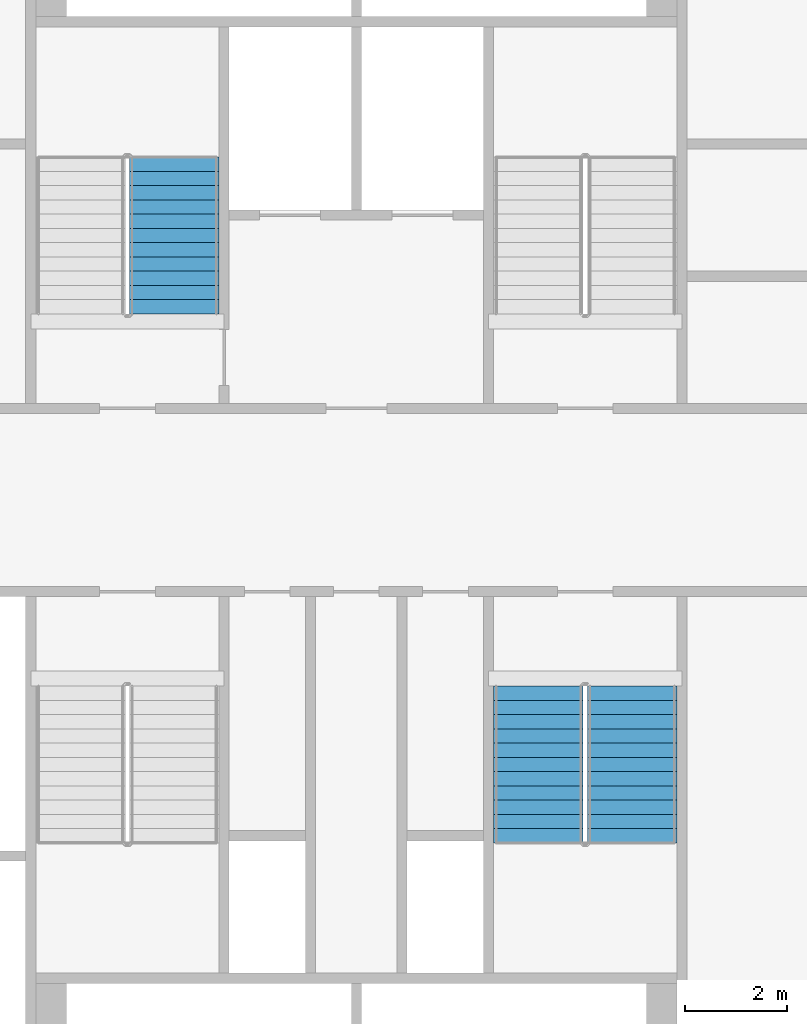
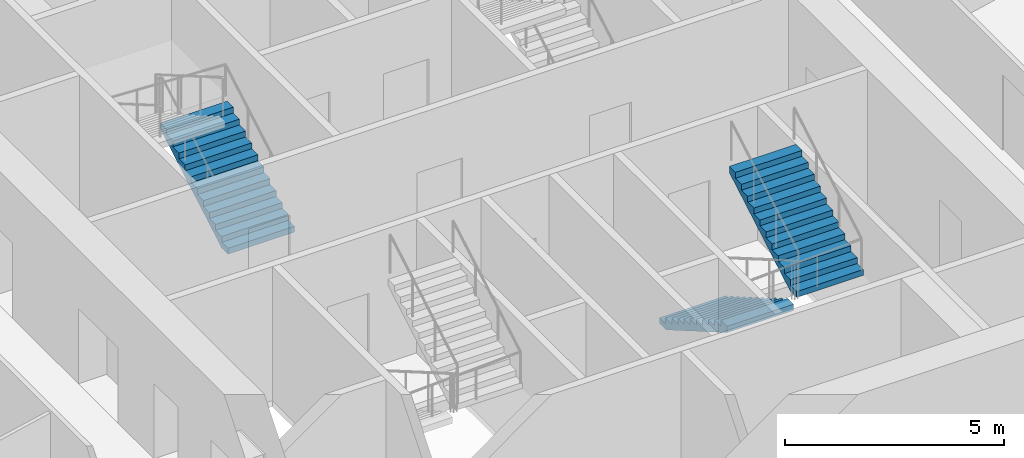
# One storey, part 9 of 16: 3 stair flights, 2 elements without a shape of their own.
"""IFC4 building model written with IfcOpenShell, lengths in metres."""

import ifcopenshell
import ifcopenshell.guid

model = None  # the IFC model being written
_history = None  # IfcOwnerHistory: only IFC2X3 demands one
_inside = {}  # id of a spatial element -> (the spatial element, [elements in it])
_under = {}  # id of a project, library or spatial element -> (it, [spatial elements below it])
_declared = {}  # id of a project -> (the project, [libraries it declares])
_typed = {}  # id of a type object -> (the type object, [elements of that type])
_made_of = {}  # id of a material, layer set ... -> (it, [elements and type objects made of it])


def new_model(schema):
    """Start an empty IFC model of exactly this schema.

    Asked for "IFC4X3", IfcOpenShell would pick the latest addendum, in which some entities
    have other attributes; the version numbers below select the first issue.
    IFC2X3 requires an IfcOwnerHistory on every rooted entity: one is made here for all.
    """
    global model, _history
    if schema == "IFC4X3":
        model = ifcopenshell.file(schema_version=(4, 3, 0, 0))
    else:
        model = ifcopenshell.file(schema=schema)
    _inside.clear()
    _under.clear()
    _declared.clear()
    _typed.clear()
    _made_of.clear()
    _history = None
    if model.schema == "IFC2X3":
        org = make("IfcOrganization", Name="unknown")
        user = make(
            "IfcPersonAndOrganization",
            ThePerson=make("IfcPerson", FamilyName="unknown"),
            TheOrganization=org,
        )
        app = make(
            "IfcApplication",
            ApplicationDeveloper=org,
            Version="unknown",
            ApplicationFullName="unknown",
            ApplicationIdentifier="unknown",
        )
        _history = make(
            "IfcOwnerHistory",
            OwningUser=user,
            OwningApplication=app,
            ChangeAction="ADDED",
            CreationDate=0,
        )
    return model


def make(cls, **values):
    """One entity of the class cls with the attributes given. An attribute that is None is left unset."""
    return model.create_entity(
        cls, **{name: value for name, value in values.items() if value is not None}
    )


def rooted(cls, **values):
    """An entity with a GlobalId (a new one), such as an element, a storey or a relation."""
    return make(cls, GlobalId=ifcopenshell.guid.new(), OwnerHistory=_history, **values)


def si_unit(unit_type, name, prefix=None):
    """IfcSIUnit, for example si_unit("LENGTHUNIT", "METRE", prefix="MILLI")."""
    return make("IfcSIUnit", UnitType=unit_type, Prefix=prefix, Name=name)


def assignment(units):
    """IfcUnitAssignment: the units of a project."""
    return None if units is None else make("IfcUnitAssignment", Units=units)


def point(xyz):
    """IfcCartesianPoint."""
    return None if xyz is None else make("IfcCartesianPoint", Coordinates=xyz)


def direction(xyz):
    """IfcDirection."""
    return None if xyz is None else make("IfcDirection", DirectionRatios=xyz)


def frame(location, z_axis=None, x_axis=None):
    """IfcAxis2Placement3D, a coordinate frame: its origin and axes. An axis left out is left unset."""
    return make(
        "IfcAxis2Placement3D",
        Location=point(location),
        Axis=direction(z_axis),
        RefDirection=direction(x_axis),
    )


def origin():
    """The frame at (0, 0, 0) with its axes left unset."""
    return frame((0.0, 0.0, 0.0))


def place(relative_to, where):
    """IfcLocalPlacement: puts the frame where relative to a parent placement (None: the world)."""
    return make(
        "IfcLocalPlacement", PlacementRelTo=relative_to, RelativePlacement=where
    )


def context(
    kind, dimensions, precision=None, world=None, true_north=None, identifier=None
):
    """IfcGeometricRepresentationContext, for example the 3D "Model" context."""
    return make(
        "IfcGeometricRepresentationContext",
        ContextIdentifier=identifier,
        ContextType=kind,
        CoordinateSpaceDimension=dimensions,
        Precision=precision,
        WorldCoordinateSystem=world,
        TrueNorth=true_north,
    )


def subcontext(parent, identifier, kind, view, scale=None):
    """IfcGeometricRepresentationSubContext, for example "Body" below "Model"."""
    return make(
        "IfcGeometricRepresentationSubContext",
        ContextIdentifier=identifier,
        ContextType=kind,
        ParentContext=parent,
        TargetScale=scale,
        TargetView=view,
    )


def project(units=None, contexts=None):
    """IfcProject with its units and contexts."""
    return rooted(
        "IfcProject",
        Name="project",
        RepresentationContexts=contexts,
        UnitsInContext=assignment(units),
    )


def spatial(cls, under=None, at=None, **own):
    """A site, building, storey or space (cls), placed at a placement, below another one or the project."""
    s = rooted(cls, ObjectPlacement=at, **own)
    if under is not None:
        _under.setdefault(under.id(), (under, []))[1].append(s)
    return s


def faces_of(points, faces, orient=None, outer=None):
    """IfcFace entities. A face is a list of loops; a loop is a list of indices into points, from 0.

    orient and outer hold one flag for each loop. By default every Orientation is true, the
    first loop of a face is its IfcFaceOuterBound and the others are IfcFaceBound.
    """
    made = []
    for i, loops in enumerate(faces):
        bounds = []
        for j, loop in enumerate(loops):
            is_outer = j == 0 if outer is None else outer[i][j]
            bounds.append(
                make(
                    "IfcFaceOuterBound" if is_outer else "IfcFaceBound",
                    Bound=make("IfcPolyLoop", Polygon=[points[k] for k in loop]),
                    Orientation=True if orient is None else orient[i][j],
                )
            )
        made.append(make("IfcFace", Bounds=bounds))
    return made


def faceted_brep(points, faces, orient=None, outer=None, voids=None):
    """IfcFacetedBrep: a solid bounded by flat faces; with voids (closed shells), ...WithVoids."""
    shared = [point(p) for p in points]
    hull = make("IfcClosedShell", CfsFaces=faces_of(shared, faces, orient, outer))
    if voids is None:
        return make("IfcFacetedBrep", Outer=hull)
    return make(
        "IfcFacetedBrepWithVoids",
        Outer=hull,
        Voids=[
            make(cls, CfsFaces=faces_of(shared, fs, o, b)) for cls, fs, o, b in voids
        ],
    )


def shape(context_of_items, identifier, shape_type, items):
    """IfcShapeRepresentation: the items that make up one representation, for example the "Body"."""
    return make(
        "IfcShapeRepresentation",
        ContextOfItems=context_of_items,
        RepresentationIdentifier=identifier,
        RepresentationType=shape_type,
        Items=items,
    )


def material(Name=None, Category=None):
    """IfcMaterial."""
    return make("IfcMaterial", Name=Name, Category=Category)


def made_of(thing, what):
    """Note that an element or type object is made of a material, layer set ...; save() writes the relation."""
    if what is not None:
        _made_of.setdefault(what.id(), (what, []))[1].append(thing)
    return thing


def type_object(cls, material=None, **own):
    """A type object (cls), such as IfcWallType, which elements share."""
    return made_of(rooted(cls, **own), material)


def element(
    cls,
    number,
    at=None,
    inside=None,
    cuts=None,
    type_object=None,
    material=None,
    context=None,
    identifier="Body",
    shape_type=None,
    held_by="IfcProductDefinitionShape",
    body=None,
    shapes=None,
    **own,
):
    """One element of the class cls, such as IfcWall. Its Tag is "e" and its number.

    at: its placement. inside: the storey or other place that contains it. cuts: it is an
    opening in that element (IfcRelVoidsElement). A single representation is given by context,
    identifier, shape_type and body (its items); several are given by shapes. held_by: the class
    of the entity that holds the representations. save() writes the other relations.
    """
    e = rooted(cls, Tag="e%d" % number, ObjectPlacement=at, **own)
    if body is not None:
        shapes = [shape(context, identifier, shape_type, body)]
    if shapes is not None:
        e.Representation = make(held_by, Representations=shapes)
    if inside is not None:
        _inside.setdefault(inside.id(), (inside, []))[1].append(e)
    if cuts is not None:
        rooted(
            "IfcRelVoidsElement", RelatingBuildingElement=cuts, RelatedOpeningElement=e
        )
    if type_object is not None:
        _typed.setdefault(type_object.id(), (type_object, []))[1].append(e)
    return made_of(e, material)


def aggregate(whole, parts):
    """IfcRelAggregates: a whole, such as a stair, and the parts it consists of."""
    return rooted("IfcRelAggregates", RelatingObject=whole, RelatedObjects=parts)


def save(model, path):
    """Write the relations noted so far, then the file.

    IfcRelAggregates (storeys below a building ...), IfcRelContainedInSpatialStructure (elements
    in a storey), IfcRelDefinesByType, IfcRelAssociatesMaterial and IfcRelDeclares: one each for
    every whole, place, type object, material and project.
    """
    for whole, parts in _under.values():
        aggregate(whole, parts)
    for where, things in _inside.values():
        rooted(
            "IfcRelContainedInSpatialStructure",
            RelatedElements=things,
            RelatingStructure=where,
        )
    for kind, things in _typed.values():
        rooted("IfcRelDefinesByType", RelatedObjects=things, RelatingType=kind)
    for what, things in _made_of.values():
        rooted("IfcRelAssociatesMaterial", RelatedObjects=things, RelatingMaterial=what)
    for by, libraries in _declared.values():
        rooted("IfcRelDeclares", RelatingContext=by, RelatedDefinitions=libraries)
    model.write(path)


model = new_model("IFC4")

# Units and contexts
model_context = context("Model", 3, precision=1e-05, world=origin(), true_north=direction((0.0, 1.0)))
body_context = subcontext(model_context, "Body", "Model", "MODEL_VIEW")
ifc_project = project(units=[si_unit("LENGTHUNIT", "METRE"), si_unit("AREAUNIT", "SQUARE_METRE"), si_unit("VOLUMEUNIT", "CUBIC_METRE"), si_unit("PLANEANGLEUNIT", "RADIAN"), si_unit("MASSUNIT", "GRAM", prefix="KILO")], contexts=[model_context])

# Site, building, storey
site_placement = place(None, origin())
site = spatial("IfcSite", under=ifc_project, at=site_placement, CompositionType="ELEMENT")
building_placement = place(site_placement, origin())
building = spatial("IfcBuilding", under=site, at=building_placement, Name="Tarsis Ring Headquarters", CompositionType="ELEMENT")
storey_placement = place(building_placement, frame((0.0, 0.0, 112.300048828125)))
storey = spatial("IfcBuildingStorey", under=building, at=storey_placement, Name="L25", CompositionType="ELEMENT", Elevation=112.300048828125)

# Stair, stair flight
ifc_material_1 = material(Name="Core stair 1760")
stair_type = type_object("IfcStairType", Name="Core stair 1760", PredefinedType="HALF_TURN_STAIR", material=ifc_material_1)
stair_1_placement = place(storey_placement, origin())
stair_1 = element("IfcStair", 1, at=stair_1_placement, inside=storey, type_object=stair_type, Name="L25 Firefighting stair", PredefinedType="HALF_TURN_STAIR")
ifc_material_2 = material(Name="Concrete C40/50", Category="concrete")
stair_flight_type = type_object("IfcStairFlightType", Name="Core stair flight 1760", PredefinedType="STRAIGHT", material=ifc_material_2)
stair_flight_1_placement = place(storey_placement, frame((-3.580078125, 3.659912109375, 0.0), z_axis=(0.0, 0.0, 1.0), x_axis=(0.0, 1.0, 0.0)))
stair_flight_1 = element("IfcStairFlight", 2, at=stair_flight_1_placement, type_object=stair_flight_type, Name="Stair ST1 flight 1", NumberOfRisers=12, NumberOfTreads=11, PredefinedType="STRAIGHT", RiserHeight=0.1625, TreadLength=0.28, context=body_context, shape_type="Brep", body=[
    faceted_brep([(0.0, 0.8798828125, 0.0), (0.0, 0.8798828125, 0.16259765625), (0.280029296875, 0.8798828125, 0.16259765625), (0.280029296875, 0.8798828125, 0.324951171875), (0.56005859375, 0.8798828125, 0.324951171875), (0.56005859375, 0.8798828125, 0.487548828125), (0.840087890625, 0.8798828125, 0.487548828125), (0.840087890625, 0.8798828125, 0.64990234375), (1.1201171875, 0.8798828125, 0.64990234375), (1.1201171875, 0.8798828125, 0.8125), (1.39990234375, 0.8798828125, 0.8125), (1.39990234375, 0.8798828125, 0.97509765625), (1.679931640625, 0.8798828125, 0.97509765625), (1.679931640625, 0.8798828125, 1.137451171875), (1.9599609375, 0.8798828125, 1.137451171875), (1.9599609375, 0.8798828125, 1.300048828125), (2.239990234375, 0.8798828125, 1.300048828125), (2.239990234375, 0.8798828125, 1.46240234375), (2.52001953125, 0.8798828125, 1.46240234375), (2.52001953125, 0.8798828125, 1.625), (2.800048828125, 0.8798828125, 1.625), (2.800048828125, 0.8798828125, 1.78759765625), (3.080078125, 0.8798828125, 1.78759765625), (3.080078125, 0.8798828125, 1.6142578125), (0.298583984375, 0.8798828125, 0.0), (0.298583984375, -0.8798828125, 0.0), (3.080078125, -0.8798828125, 1.6142578125), (3.080078125, -0.8798828125, 1.78759765625), (2.800048828125, -0.8798828125, 1.78759765625), (2.800048828125, -0.8798828125, 1.625), (2.52001953125, -0.8798828125, 1.625), (2.52001953125, -0.8798828125, 1.46240234375), (2.239990234375, -0.8798828125, 1.46240234375), (2.239990234375, -0.8798828125, 1.300048828125), (1.9599609375, -0.8798828125, 1.300048828125), (1.9599609375, -0.8798828125, 1.137451171875), (1.679931640625, -0.8798828125, 1.137451171875), (1.679931640625, -0.8798828125, 0.97509765625), (1.39990234375, -0.8798828125, 0.97509765625), (1.39990234375, -0.8798828125, 0.8125), (1.1201171875, -0.8798828125, 0.8125), (1.1201171875, -0.8798828125, 0.64990234375), (0.840087890625, -0.8798828125, 0.64990234375), (0.840087890625, -0.8798828125, 0.487548828125), (0.56005859375, -0.8798828125, 0.487548828125), (0.56005859375, -0.8798828125, 0.324951171875), (0.280029296875, -0.8798828125, 0.324951171875), (0.280029296875, -0.8798828125, 0.16259765625), (0.0, -0.8798828125, 0.16259765625), (0.0, -0.8798828125, 0.0), (0.0, -0.43994140625, 0.16259765625), (0.0, -0.43994140625, 0.0), (0.0, 0.0, 0.16259765625), (0.0, 0.0, 0.0), (0.0, 0.43994140625, 0.16259765625), (0.0, 0.43994140625, 0.0), (0.280029296875, -0.43994140625, 0.16259765625), (0.280029296875, 0.0, 0.16259765625), (0.280029296875, 0.43994140625, 0.16259765625), (0.280029296875, -0.43994140625, 0.324951171875), (0.280029296875, 0.0, 0.324951171875), (0.280029296875, 0.43994140625, 0.324951171875), (0.56005859375, -0.43994140625, 0.324951171875), (0.56005859375, 0.0, 0.324951171875), (0.56005859375, 0.43994140625, 0.324951171875), (0.56005859375, -0.43994140625, 0.487548828125), (0.56005859375, 0.0, 0.487548828125), (0.56005859375, 0.43994140625, 0.487548828125), (0.840087890625, -0.43994140625, 0.487548828125), (0.840087890625, 0.0, 0.487548828125), (0.840087890625, 0.43994140625, 0.487548828125), (0.840087890625, -0.43994140625, 0.64990234375), (0.840087890625, 0.0, 0.64990234375), (0.840087890625, 0.43994140625, 0.64990234375), (1.1201171875, -0.43994140625, 0.64990234375), (1.1201171875, 0.0, 0.64990234375), (1.1201171875, 0.43994140625, 0.64990234375), (1.1201171875, -0.43994140625, 0.8125), (1.1201171875, 0.0, 0.8125), (1.1201171875, 0.43994140625, 0.8125), (1.39990234375, -0.43994140625, 0.8125), (1.39990234375, 0.0, 0.8125), (1.39990234375, 0.43994140625, 0.8125), (1.39990234375, -0.43994140625, 0.97509765625), (1.39990234375, 0.0, 0.97509765625), (1.39990234375, 0.43994140625, 0.97509765625), (1.679931640625, -0.43994140625, 0.97509765625), (1.679931640625, 0.0, 0.97509765625), (1.679931640625, 0.43994140625, 0.97509765625), (1.679931640625, -0.43994140625, 1.137451171875), (1.679931640625, 0.0, 1.137451171875), (1.679931640625, 0.43994140625, 1.137451171875), (1.9599609375, -0.43994140625, 1.137451171875), (1.9599609375, 0.0, 1.137451171875), (1.9599609375, 0.43994140625, 1.137451171875), (1.9599609375, -0.43994140625, 1.300048828125), (1.9599609375, 0.0, 1.300048828125), (1.9599609375, 0.43994140625, 1.300048828125), (2.239990234375, -0.43994140625, 1.300048828125), (2.239990234375, 0.0, 1.300048828125), (2.239990234375, 0.43994140625, 1.300048828125), (2.239990234375, -0.43994140625, 1.46240234375), (2.239990234375, 0.0, 1.46240234375), (2.239990234375, 0.43994140625, 1.46240234375), (2.52001953125, -0.43994140625, 1.46240234375), (2.52001953125, 0.0, 1.46240234375), (2.52001953125, 0.43994140625, 1.46240234375), (2.52001953125, -0.43994140625, 1.625), (2.52001953125, 0.0, 1.625), (2.52001953125, 0.43994140625, 1.625), (2.800048828125, -0.43994140625, 1.625), (2.800048828125, 0.0, 1.625), (2.800048828125, 0.43994140625, 1.625), (2.800048828125, -0.43994140625, 1.78759765625), (2.800048828125, 0.0, 1.78759765625), (2.800048828125, 0.43994140625, 1.78759765625), (3.080078125, -0.43994140625, 1.78759765625), (3.080078125, 0.0, 1.78759765625), (3.080078125, 0.43994140625, 1.78759765625), (3.080078125, -0.43994140625, 1.6142578125), (3.080078125, 0.0, 1.6142578125), (3.080078125, 0.43994140625, 1.6142578125), (0.298583984375, -0.43994140625, 0.0), (0.298583984375, 0.0, 0.0), (0.298583984375, 0.43994140625, 0.0)], [[[0, 1, 2, 3, 4, 5, 6, 7, 8, 9, 10, 11, 12, 13, 14, 15, 16, 17, 18, 19, 20, 21, 22, 23, 24]], [[25, 26, 27, 28, 29, 30, 31, 32, 33, 34, 35, 36, 37, 38, 39, 40, 41, 42, 43, 44, 45, 46, 47, 48, 49]], [[49, 48, 50, 51]], [[51, 50, 52, 53]], [[53, 52, 54, 55]], [[55, 54, 1, 0]], [[48, 47, 56, 50]], [[50, 56, 57, 52]], [[52, 57, 58, 54]], [[54, 58, 2, 1]], [[47, 46, 59, 56]], [[56, 59, 60, 57]], [[57, 60, 61, 58]], [[58, 61, 3, 2]], [[46, 45, 62, 59]], [[59, 62, 63, 60]], [[60, 63, 64, 61]], [[61, 64, 4, 3]], [[45, 44, 65, 62]], [[62, 65, 66, 63]], [[63, 66, 67, 64]], [[64, 67, 5, 4]], [[44, 43, 68, 65]], [[65, 68, 69, 66]], [[66, 69, 70, 67]], [[67, 70, 6, 5]], [[43, 42, 71, 68]], [[68, 71, 72, 69]], [[69, 72, 73, 70]], [[70, 73, 7, 6]], [[42, 41, 74, 71]], [[71, 74, 75, 72]], [[72, 75, 76, 73]], [[73, 76, 8, 7]], [[41, 40, 77, 74]], [[74, 77, 78, 75]], [[75, 78, 79, 76]], [[76, 79, 9, 8]], [[40, 39, 80, 77]], [[77, 80, 81, 78]], [[78, 81, 82, 79]], [[79, 82, 10, 9]], [[39, 38, 83, 80]], [[80, 83, 84, 81]], [[81, 84, 85, 82]], [[82, 85, 11, 10]], [[38, 37, 86, 83]], [[83, 86, 87, 84]], [[84, 87, 88, 85]], [[85, 88, 12, 11]], [[37, 36, 89, 86]], [[86, 89, 90, 87]], [[87, 90, 91, 88]], [[88, 91, 13, 12]], [[36, 35, 92, 89]], [[89, 92, 93, 90]], [[90, 93, 94, 91]], [[91, 94, 14, 13]], [[35, 34, 95, 92]], [[92, 95, 96, 93]], [[93, 96, 97, 94]], [[94, 97, 15, 14]], [[34, 33, 98, 95]], [[95, 98, 99, 96]], [[96, 99, 100, 97]], [[97, 100, 16, 15]], [[33, 32, 101, 98]], [[98, 101, 102, 99]], [[99, 102, 103, 100]], [[100, 103, 17, 16]], [[32, 31, 104, 101]], [[101, 104, 105, 102]], [[102, 105, 106, 103]], [[103, 106, 18, 17]], [[31, 30, 107, 104]], [[104, 107, 108, 105]], [[105, 108, 109, 106]], [[106, 109, 19, 18]], [[30, 29, 110, 107]], [[107, 110, 111, 108]], [[108, 111, 112, 109]], [[109, 112, 20, 19]], [[29, 28, 113, 110]], [[110, 113, 114, 111]], [[111, 114, 115, 112]], [[112, 115, 21, 20]], [[28, 27, 116, 113]], [[113, 116, 117, 114]], [[114, 117, 118, 115]], [[115, 118, 22, 21]], [[27, 26, 119, 116]], [[116, 119, 120, 117]], [[117, 120, 121, 118]], [[118, 121, 23, 22]], [[26, 25, 122, 119]], [[119, 122, 123, 120]], [[120, 123, 124, 121]], [[121, 124, 24, 23]], [[25, 49, 51, 122]], [[122, 51, 53, 123]], [[123, 53, 55, 124]], [[124, 55, 0, 24]]]),
])
aggregate(stair_1, [stair_flight_1])

# Stair, stair flights
stair_2_placement = place(storey_placement, origin())
stair_2 = element("IfcStair", 3, at=stair_2_placement, inside=storey, type_object=stair_type, Name="L25 Exit stair D", PredefinedType="HALF_TURN_STAIR")
stair_flight_2_placement = place(storey_placement, frame((3.580078125, -3.659912109375, 0.0), z_axis=(0.0, 0.0, 1.0), x_axis=(0.0, -1.0, 0.0)))
stair_flight_2 = element("IfcStairFlight", 4, at=stair_flight_2_placement, type_object=stair_flight_type, Name="Stair ST4 flight 1", NumberOfRisers=12, NumberOfTreads=11, PredefinedType="STRAIGHT", RiserHeight=0.1625, TreadLength=0.28, context=body_context, shape_type="Brep", body=[
    faceted_brep([(0.0, 0.8798828125, 0.0), (0.0, 0.8798828125, 0.16259765625), (0.280029296875, 0.8798828125, 0.16259765625), (0.280029296875, 0.8798828125, 0.324951171875), (0.56005859375, 0.8798828125, 0.324951171875), (0.56005859375, 0.8798828125, 0.487548828125), (0.840087890625, 0.8798828125, 0.487548828125), (0.840087890625, 0.8798828125, 0.64990234375), (1.1201171875, 0.8798828125, 0.64990234375), (1.1201171875, 0.8798828125, 0.8125), (1.39990234375, 0.8798828125, 0.8125), (1.39990234375, 0.8798828125, 0.97509765625), (1.679931640625, 0.8798828125, 0.97509765625), (1.679931640625, 0.8798828125, 1.137451171875), (1.9599609375, 0.8798828125, 1.137451171875), (1.9599609375, 0.8798828125, 1.300048828125), (2.239990234375, 0.8798828125, 1.300048828125), (2.239990234375, 0.8798828125, 1.46240234375), (2.52001953125, 0.8798828125, 1.46240234375), (2.52001953125, 0.8798828125, 1.625), (2.800048828125, 0.8798828125, 1.625), (2.800048828125, 0.8798828125, 1.78759765625), (3.080078125, 0.8798828125, 1.78759765625), (3.080078125, 0.8798828125, 1.6142578125), (0.298583984375, 0.8798828125, 0.0), (0.298583984375, -0.8798828125, 0.0), (3.080078125, -0.8798828125, 1.6142578125), (3.080078125, -0.8798828125, 1.78759765625), (2.800048828125, -0.8798828125, 1.78759765625), (2.800048828125, -0.8798828125, 1.625), (2.52001953125, -0.8798828125, 1.625), (2.52001953125, -0.8798828125, 1.46240234375), (2.239990234375, -0.8798828125, 1.46240234375), (2.239990234375, -0.8798828125, 1.300048828125), (1.9599609375, -0.8798828125, 1.300048828125), (1.9599609375, -0.8798828125, 1.137451171875), (1.679931640625, -0.8798828125, 1.137451171875), (1.679931640625, -0.8798828125, 0.97509765625), (1.39990234375, -0.8798828125, 0.97509765625), (1.39990234375, -0.8798828125, 0.8125), (1.1201171875, -0.8798828125, 0.8125), (1.1201171875, -0.8798828125, 0.64990234375), (0.840087890625, -0.8798828125, 0.64990234375), (0.840087890625, -0.8798828125, 0.487548828125), (0.56005859375, -0.8798828125, 0.487548828125), (0.56005859375, -0.8798828125, 0.324951171875), (0.280029296875, -0.8798828125, 0.324951171875), (0.280029296875, -0.8798828125, 0.16259765625), (0.0, -0.8798828125, 0.16259765625), (0.0, -0.8798828125, 0.0), (0.0, -0.43994140625, 0.16259765625), (0.0, -0.43994140625, 0.0), (0.0, 0.0, 0.16259765625), (0.0, 0.0, 0.0), (0.0, 0.43994140625, 0.16259765625), (0.0, 0.43994140625, 0.0), (0.280029296875, -0.43994140625, 0.16259765625), (0.280029296875, 0.0, 0.16259765625), (0.280029296875, 0.43994140625, 0.16259765625), (0.280029296875, -0.43994140625, 0.324951171875), (0.280029296875, 0.0, 0.324951171875), (0.280029296875, 0.43994140625, 0.324951171875), (0.56005859375, -0.43994140625, 0.324951171875), (0.56005859375, 0.0, 0.324951171875), (0.56005859375, 0.43994140625, 0.324951171875), (0.56005859375, -0.43994140625, 0.487548828125), (0.56005859375, 0.0, 0.487548828125), (0.56005859375, 0.43994140625, 0.487548828125), (0.840087890625, -0.43994140625, 0.487548828125), (0.840087890625, 0.0, 0.487548828125), (0.840087890625, 0.43994140625, 0.487548828125), (0.840087890625, -0.43994140625, 0.64990234375), (0.840087890625, 0.0, 0.64990234375), (0.840087890625, 0.43994140625, 0.64990234375), (1.1201171875, -0.43994140625, 0.64990234375), (1.1201171875, 0.0, 0.64990234375), (1.1201171875, 0.43994140625, 0.64990234375), (1.1201171875, -0.43994140625, 0.8125), (1.1201171875, 0.0, 0.8125), (1.1201171875, 0.43994140625, 0.8125), (1.39990234375, -0.43994140625, 0.8125), (1.39990234375, 0.0, 0.8125), (1.39990234375, 0.43994140625, 0.8125), (1.39990234375, -0.43994140625, 0.97509765625), (1.39990234375, 0.0, 0.97509765625), (1.39990234375, 0.43994140625, 0.97509765625), (1.679931640625, -0.43994140625, 0.97509765625), (1.679931640625, 0.0, 0.97509765625), (1.679931640625, 0.43994140625, 0.97509765625), (1.679931640625, -0.43994140625, 1.137451171875), (1.679931640625, 0.0, 1.137451171875), (1.679931640625, 0.43994140625, 1.137451171875), (1.9599609375, -0.43994140625, 1.137451171875), (1.9599609375, 0.0, 1.137451171875), (1.9599609375, 0.43994140625, 1.137451171875), (1.9599609375, -0.43994140625, 1.300048828125), (1.9599609375, 0.0, 1.300048828125), (1.9599609375, 0.43994140625, 1.300048828125), (2.239990234375, -0.43994140625, 1.300048828125), (2.239990234375, 0.0, 1.300048828125), (2.239990234375, 0.43994140625, 1.300048828125), (2.239990234375, -0.43994140625, 1.46240234375), (2.239990234375, 0.0, 1.46240234375), (2.239990234375, 0.43994140625, 1.46240234375), (2.52001953125, -0.43994140625, 1.46240234375), (2.52001953125, 0.0, 1.46240234375), (2.52001953125, 0.43994140625, 1.46240234375), (2.52001953125, -0.43994140625, 1.625), (2.52001953125, 0.0, 1.625), (2.52001953125, 0.43994140625, 1.625), (2.800048828125, -0.43994140625, 1.625), (2.800048828125, 0.0, 1.625), (2.800048828125, 0.43994140625, 1.625), (2.800048828125, -0.43994140625, 1.78759765625), (2.800048828125, 0.0, 1.78759765625), (2.800048828125, 0.43994140625, 1.78759765625), (3.080078125, -0.43994140625, 1.78759765625), (3.080078125, 0.0, 1.78759765625), (3.080078125, 0.43994140625, 1.78759765625), (3.080078125, -0.43994140625, 1.6142578125), (3.080078125, 0.0, 1.6142578125), (3.080078125, 0.43994140625, 1.6142578125), (0.298583984375, -0.43994140625, 0.0), (0.298583984375, 0.0, 0.0), (0.298583984375, 0.43994140625, 0.0)], [[[0, 1, 2, 3, 4, 5, 6, 7, 8, 9, 10, 11, 12, 13, 14, 15, 16, 17, 18, 19, 20, 21, 22, 23, 24]], [[25, 26, 27, 28, 29, 30, 31, 32, 33, 34, 35, 36, 37, 38, 39, 40, 41, 42, 43, 44, 45, 46, 47, 48, 49]], [[49, 48, 50, 51]], [[51, 50, 52, 53]], [[53, 52, 54, 55]], [[55, 54, 1, 0]], [[48, 47, 56, 50]], [[50, 56, 57, 52]], [[52, 57, 58, 54]], [[54, 58, 2, 1]], [[47, 46, 59, 56]], [[56, 59, 60, 57]], [[57, 60, 61, 58]], [[58, 61, 3, 2]], [[46, 45, 62, 59]], [[59, 62, 63, 60]], [[60, 63, 64, 61]], [[61, 64, 4, 3]], [[45, 44, 65, 62]], [[62, 65, 66, 63]], [[63, 66, 67, 64]], [[64, 67, 5, 4]], [[44, 43, 68, 65]], [[65, 68, 69, 66]], [[66, 69, 70, 67]], [[67, 70, 6, 5]], [[43, 42, 71, 68]], [[68, 71, 72, 69]], [[69, 72, 73, 70]], [[70, 73, 7, 6]], [[42, 41, 74, 71]], [[71, 74, 75, 72]], [[72, 75, 76, 73]], [[73, 76, 8, 7]], [[41, 40, 77, 74]], [[74, 77, 78, 75]], [[75, 78, 79, 76]], [[76, 79, 9, 8]], [[40, 39, 80, 77]], [[77, 80, 81, 78]], [[78, 81, 82, 79]], [[79, 82, 10, 9]], [[39, 38, 83, 80]], [[80, 83, 84, 81]], [[81, 84, 85, 82]], [[82, 85, 11, 10]], [[38, 37, 86, 83]], [[83, 86, 87, 84]], [[84, 87, 88, 85]], [[85, 88, 12, 11]], [[37, 36, 89, 86]], [[86, 89, 90, 87]], [[87, 90, 91, 88]], [[88, 91, 13, 12]], [[36, 35, 92, 89]], [[89, 92, 93, 90]], [[90, 93, 94, 91]], [[91, 94, 14, 13]], [[35, 34, 95, 92]], [[92, 95, 96, 93]], [[93, 96, 97, 94]], [[94, 97, 15, 14]], [[34, 33, 98, 95]], [[95, 98, 99, 96]], [[96, 99, 100, 97]], [[97, 100, 16, 15]], [[33, 32, 101, 98]], [[98, 101, 102, 99]], [[99, 102, 103, 100]], [[100, 103, 17, 16]], [[32, 31, 104, 101]], [[101, 104, 105, 102]], [[102, 105, 106, 103]], [[103, 106, 18, 17]], [[31, 30, 107, 104]], [[104, 107, 108, 105]], [[105, 108, 109, 106]], [[106, 109, 19, 18]], [[30, 29, 110, 107]], [[107, 110, 111, 108]], [[108, 111, 112, 109]], [[109, 112, 20, 19]], [[29, 28, 113, 110]], [[110, 113, 114, 111]], [[111, 114, 115, 112]], [[112, 115, 21, 20]], [[28, 27, 116, 113]], [[113, 116, 117, 114]], [[114, 117, 118, 115]], [[115, 118, 22, 21]], [[27, 26, 119, 116]], [[116, 119, 120, 117]], [[117, 120, 121, 118]], [[118, 121, 23, 22]], [[26, 25, 122, 119]], [[119, 122, 123, 120]], [[120, 123, 124, 121]], [[121, 124, 24, 23]], [[25, 49, 51, 122]], [[122, 51, 53, 123]], [[123, 53, 55, 124]], [[124, 55, 0, 24]]]),
])
stair_flight_3_placement = place(storey_placement, frame((5.419921875, -6.739990234375, 1.949951171875), z_axis=(0.0, 0.0, 1.0), x_axis=(0.0, 1.0, 0.0)))
stair_flight_3 = element("IfcStairFlight", 5, at=stair_flight_3_placement, type_object=stair_flight_type, Name="Stair ST4 flight 2", NumberOfRisers=12, NumberOfTreads=11, PredefinedType="STRAIGHT", RiserHeight=0.1625, TreadLength=0.28, context=body_context, shape_type="Brep", body=[
    faceted_brep([(0.0, 0.8798828125, 0.0), (0.0, 0.8798828125, 0.16259765625), (0.280029296875, 0.8798828125, 0.16259765625), (0.280029296875, 0.8798828125, 0.324951171875), (0.56005859375, 0.8798828125, 0.324951171875), (0.56005859375, 0.8798828125, 0.487548828125), (0.840087890625, 0.8798828125, 0.487548828125), (0.840087890625, 0.8798828125, 0.64990234375), (1.1201171875, 0.8798828125, 0.64990234375), (1.1201171875, 0.8798828125, 0.8125), (1.39990234375, 0.8798828125, 0.8125), (1.39990234375, 0.8798828125, 0.97509765625), (1.679931640625, 0.8798828125, 0.97509765625), (1.679931640625, 0.8798828125, 1.137451171875), (1.9599609375, 0.8798828125, 1.137451171875), (1.9599609375, 0.8798828125, 1.300048828125), (2.239990234375, 0.8798828125, 1.300048828125), (2.239990234375, 0.8798828125, 1.46240234375), (2.52001953125, 0.8798828125, 1.46240234375), (2.52001953125, 0.8798828125, 1.625), (2.800048828125, 0.8798828125, 1.625), (2.800048828125, 0.8798828125, 1.78759765625), (3.080078125, 0.8798828125, 1.78759765625), (3.080078125, 0.8798828125, 1.6142578125), (0.298583984375, 0.8798828125, 0.0), (0.298583984375, -0.8798828125, 0.0), (3.080078125, -0.8798828125, 1.6142578125), (3.080078125, -0.8798828125, 1.78759765625), (2.800048828125, -0.8798828125, 1.78759765625), (2.800048828125, -0.8798828125, 1.625), (2.52001953125, -0.8798828125, 1.625), (2.52001953125, -0.8798828125, 1.46240234375), (2.239990234375, -0.8798828125, 1.46240234375), (2.239990234375, -0.8798828125, 1.300048828125), (1.9599609375, -0.8798828125, 1.300048828125), (1.9599609375, -0.8798828125, 1.137451171875), (1.679931640625, -0.8798828125, 1.137451171875), (1.679931640625, -0.8798828125, 0.97509765625), (1.39990234375, -0.8798828125, 0.97509765625), (1.39990234375, -0.8798828125, 0.8125), (1.1201171875, -0.8798828125, 0.8125), (1.1201171875, -0.8798828125, 0.64990234375), (0.840087890625, -0.8798828125, 0.64990234375), (0.840087890625, -0.8798828125, 0.487548828125), (0.56005859375, -0.8798828125, 0.487548828125), (0.56005859375, -0.8798828125, 0.324951171875), (0.280029296875, -0.8798828125, 0.324951171875), (0.280029296875, -0.8798828125, 0.16259765625), (0.0, -0.8798828125, 0.16259765625), (0.0, -0.8798828125, 0.0), (0.0, -0.43994140625, 0.16259765625), (0.0, -0.43994140625, 0.0), (0.0, 0.0, 0.16259765625), (0.0, 0.0, 0.0), (0.0, 0.43994140625, 0.16259765625), (0.0, 0.43994140625, 0.0), (0.280029296875, -0.43994140625, 0.16259765625), (0.280029296875, 0.0, 0.16259765625), (0.280029296875, 0.43994140625, 0.16259765625), (0.280029296875, -0.43994140625, 0.324951171875), (0.280029296875, 0.0, 0.324951171875), (0.280029296875, 0.43994140625, 0.324951171875), (0.56005859375, -0.43994140625, 0.324951171875), (0.56005859375, 0.0, 0.324951171875), (0.56005859375, 0.43994140625, 0.324951171875), (0.56005859375, -0.43994140625, 0.487548828125), (0.56005859375, 0.0, 0.487548828125), (0.56005859375, 0.43994140625, 0.487548828125), (0.840087890625, -0.43994140625, 0.487548828125), (0.840087890625, 0.0, 0.487548828125), (0.840087890625, 0.43994140625, 0.487548828125), (0.840087890625, -0.43994140625, 0.64990234375), (0.840087890625, 0.0, 0.64990234375), (0.840087890625, 0.43994140625, 0.64990234375), (1.1201171875, -0.43994140625, 0.64990234375), (1.1201171875, 0.0, 0.64990234375), (1.1201171875, 0.43994140625, 0.64990234375), (1.1201171875, -0.43994140625, 0.8125), (1.1201171875, 0.0, 0.8125), (1.1201171875, 0.43994140625, 0.8125), (1.39990234375, -0.43994140625, 0.8125), (1.39990234375, 0.0, 0.8125), (1.39990234375, 0.43994140625, 0.8125), (1.39990234375, -0.43994140625, 0.97509765625), (1.39990234375, 0.0, 0.97509765625), (1.39990234375, 0.43994140625, 0.97509765625), (1.679931640625, -0.43994140625, 0.97509765625), (1.679931640625, 0.0, 0.97509765625), (1.679931640625, 0.43994140625, 0.97509765625), (1.679931640625, -0.43994140625, 1.137451171875), (1.679931640625, 0.0, 1.137451171875), (1.679931640625, 0.43994140625, 1.137451171875), (1.9599609375, -0.43994140625, 1.137451171875), (1.9599609375, 0.0, 1.137451171875), (1.9599609375, 0.43994140625, 1.137451171875), (1.9599609375, -0.43994140625, 1.300048828125), (1.9599609375, 0.0, 1.300048828125), (1.9599609375, 0.43994140625, 1.300048828125), (2.239990234375, -0.43994140625, 1.300048828125), (2.239990234375, 0.0, 1.300048828125), (2.239990234375, 0.43994140625, 1.300048828125), (2.239990234375, -0.43994140625, 1.46240234375), (2.239990234375, 0.0, 1.46240234375), (2.239990234375, 0.43994140625, 1.46240234375), (2.52001953125, -0.43994140625, 1.46240234375), (2.52001953125, 0.0, 1.46240234375), (2.52001953125, 0.43994140625, 1.46240234375), (2.52001953125, -0.43994140625, 1.625), (2.52001953125, 0.0, 1.625), (2.52001953125, 0.43994140625, 1.625), (2.800048828125, -0.43994140625, 1.625), (2.800048828125, 0.0, 1.625), (2.800048828125, 0.43994140625, 1.625), (2.800048828125, -0.43994140625, 1.78759765625), (2.800048828125, 0.0, 1.78759765625), (2.800048828125, 0.43994140625, 1.78759765625), (3.080078125, -0.43994140625, 1.78759765625), (3.080078125, 0.0, 1.78759765625), (3.080078125, 0.43994140625, 1.78759765625), (3.080078125, -0.43994140625, 1.6142578125), (3.080078125, 0.0, 1.6142578125), (3.080078125, 0.43994140625, 1.6142578125), (0.298583984375, -0.43994140625, 0.0), (0.298583984375, 0.0, 0.0), (0.298583984375, 0.43994140625, 0.0)], [[[0, 1, 2, 3, 4, 5, 6, 7, 8, 9, 10, 11, 12, 13, 14, 15, 16, 17, 18, 19, 20, 21, 22, 23, 24]], [[25, 26, 27, 28, 29, 30, 31, 32, 33, 34, 35, 36, 37, 38, 39, 40, 41, 42, 43, 44, 45, 46, 47, 48, 49]], [[49, 48, 50, 51]], [[51, 50, 52, 53]], [[53, 52, 54, 55]], [[55, 54, 1, 0]], [[48, 47, 56, 50]], [[50, 56, 57, 52]], [[52, 57, 58, 54]], [[54, 58, 2, 1]], [[47, 46, 59, 56]], [[56, 59, 60, 57]], [[57, 60, 61, 58]], [[58, 61, 3, 2]], [[46, 45, 62, 59]], [[59, 62, 63, 60]], [[60, 63, 64, 61]], [[61, 64, 4, 3]], [[45, 44, 65, 62]], [[62, 65, 66, 63]], [[63, 66, 67, 64]], [[64, 67, 5, 4]], [[44, 43, 68, 65]], [[65, 68, 69, 66]], [[66, 69, 70, 67]], [[67, 70, 6, 5]], [[43, 42, 71, 68]], [[68, 71, 72, 69]], [[69, 72, 73, 70]], [[70, 73, 7, 6]], [[42, 41, 74, 71]], [[71, 74, 75, 72]], [[72, 75, 76, 73]], [[73, 76, 8, 7]], [[41, 40, 77, 74]], [[74, 77, 78, 75]], [[75, 78, 79, 76]], [[76, 79, 9, 8]], [[40, 39, 80, 77]], [[77, 80, 81, 78]], [[78, 81, 82, 79]], [[79, 82, 10, 9]], [[39, 38, 83, 80]], [[80, 83, 84, 81]], [[81, 84, 85, 82]], [[82, 85, 11, 10]], [[38, 37, 86, 83]], [[83, 86, 87, 84]], [[84, 87, 88, 85]], [[85, 88, 12, 11]], [[37, 36, 89, 86]], [[86, 89, 90, 87]], [[87, 90, 91, 88]], [[88, 91, 13, 12]], [[36, 35, 92, 89]], [[89, 92, 93, 90]], [[90, 93, 94, 91]], [[91, 94, 14, 13]], [[35, 34, 95, 92]], [[92, 95, 96, 93]], [[93, 96, 97, 94]], [[94, 97, 15, 14]], [[34, 33, 98, 95]], [[95, 98, 99, 96]], [[96, 99, 100, 97]], [[97, 100, 16, 15]], [[33, 32, 101, 98]], [[98, 101, 102, 99]], [[99, 102, 103, 100]], [[100, 103, 17, 16]], [[32, 31, 104, 101]], [[101, 104, 105, 102]], [[102, 105, 106, 103]], [[103, 106, 18, 17]], [[31, 30, 107, 104]], [[104, 107, 108, 105]], [[105, 108, 109, 106]], [[106, 109, 19, 18]], [[30, 29, 110, 107]], [[107, 110, 111, 108]], [[108, 111, 112, 109]], [[109, 112, 20, 19]], [[29, 28, 113, 110]], [[110, 113, 114, 111]], [[111, 114, 115, 112]], [[112, 115, 21, 20]], [[28, 27, 116, 113]], [[113, 116, 117, 114]], [[114, 117, 118, 115]], [[115, 118, 22, 21]], [[27, 26, 119, 116]], [[116, 119, 120, 117]], [[117, 120, 121, 118]], [[118, 121, 23, 22]], [[26, 25, 122, 119]], [[119, 122, 123, 120]], [[120, 123, 124, 121]], [[121, 124, 24, 23]], [[25, 49, 51, 122]], [[122, 51, 53, 123]], [[123, 53, 55, 124]], [[124, 55, 0, 24]]]),
])
aggregate(stair_2, [stair_flight_2, stair_flight_3])

save(model, "model.ifc")
